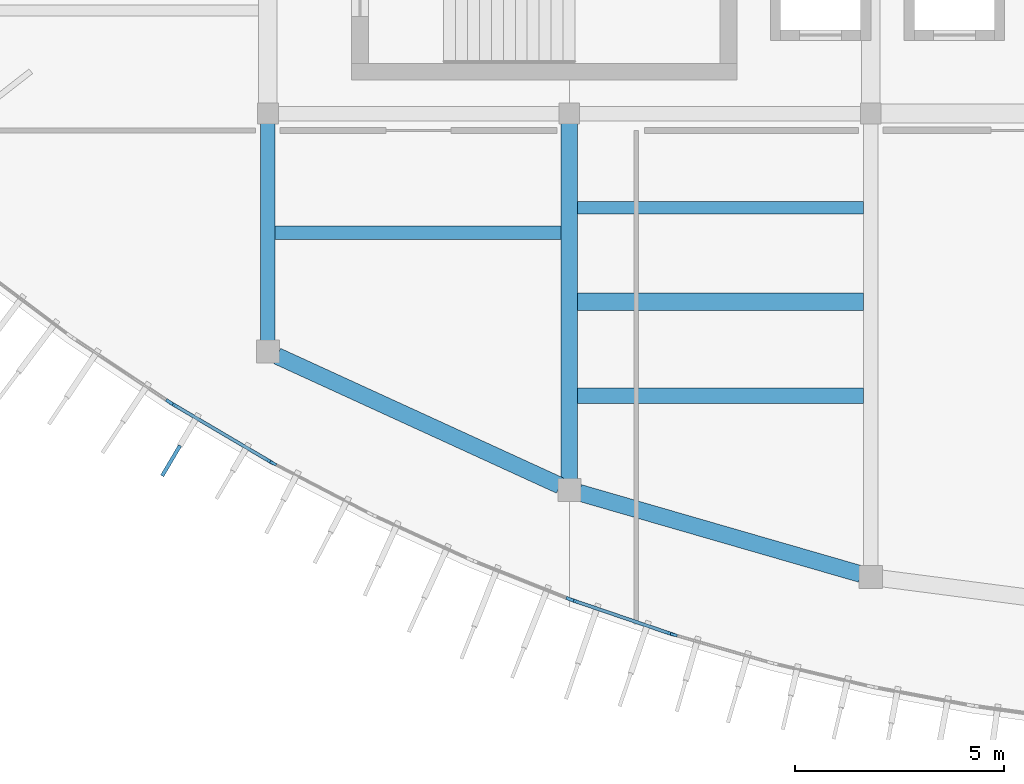
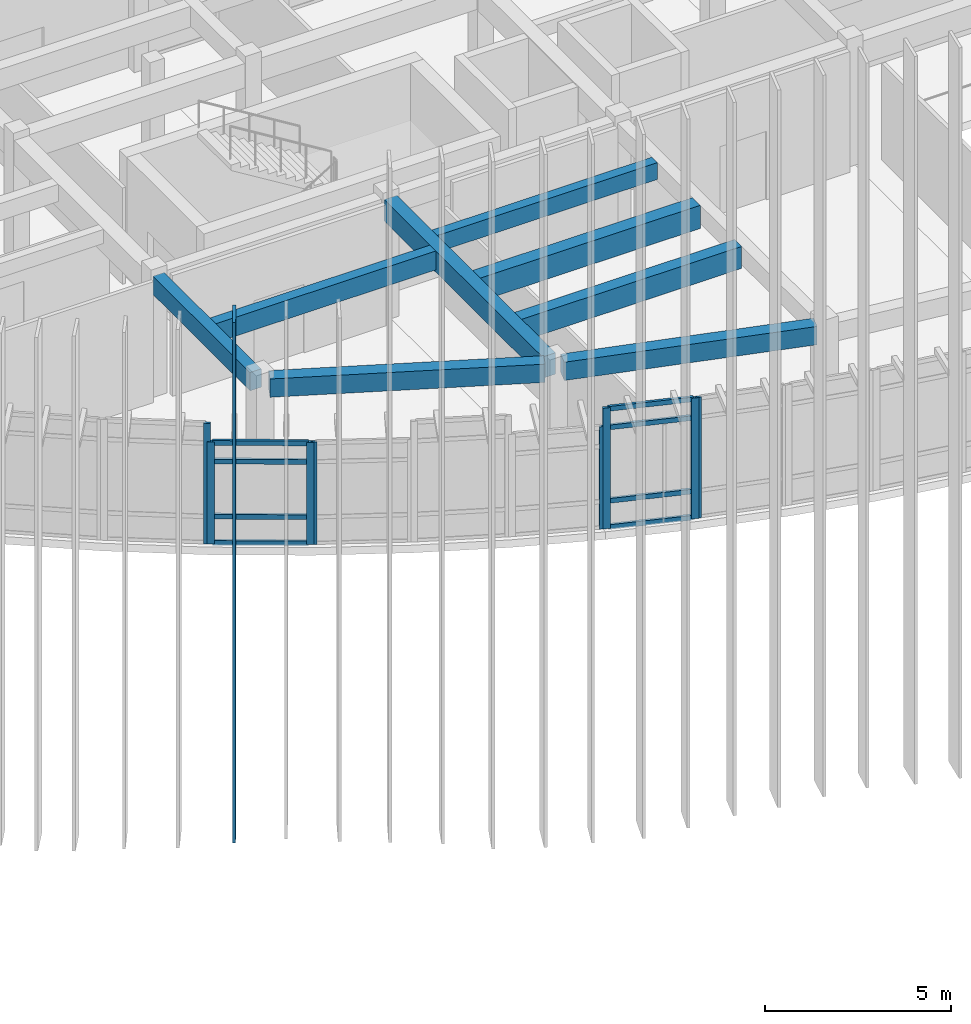
# One storey, part 14 of 47: 17 members, 8 beams, 6 elements without a shape of their own.
"""IFC4 building model written with IfcOpenShell, lengths in metres."""

from ifc_helpers import new_model, si_unit, direction, frame, origin, origin_2d, place, context, subcontext, project, spatial, rectangle, extrude, material, layer, layer_set, material_profile, profile_set, type_object, element, aggregate, save


model = new_model("IFC4")

# Units and contexts
model_context = context("Model", 3, precision=1e-05, world=origin(), true_north=direction((0.0, 1.0)))
body_context = subcontext(model_context, "Body", "Model", "MODEL_VIEW")
ifc_project = project(units=[si_unit("LENGTHUNIT", "METRE"), si_unit("AREAUNIT", "SQUARE_METRE"), si_unit("VOLUMEUNIT", "CUBIC_METRE"), si_unit("PLANEANGLEUNIT", "RADIAN"), si_unit("MASSUNIT", "GRAM", prefix="KILO")], contexts=[model_context])

# Site, building, storey
site_placement = place(None, origin())
site = spatial("IfcSite", under=ifc_project, at=site_placement, CompositionType="ELEMENT")
building_placement = place(site_placement, origin())
building = spatial("IfcBuilding", under=site, at=building_placement, Name="Brisavento Harbour Community Centre", CompositionType="ELEMENT")
storey_placement = place(building_placement, frame((0.0, 0.0, 8.699951171875)))
storey = spatial("IfcBuildingStorey", under=building, at=storey_placement, Name="L02", CompositionType="ELEMENT", Elevation=8.699951171875)

# Beams
ifc_material_1 = material(Name="Concrete C35/45", Category="concrete")
ifc_material_profile_1 = material_profile(ifc_material_1, rectangle(XDim=0.300048828125, YDim=0.550048828125, at=origin_2d()), Name="Concrete C35/45")
ifc_profile_set_1 = profile_set([ifc_material_profile_1], Name="Concrete C35/45")
beam_type_1 = type_object("IfcBeamType", Name="BM-JST-300x550", PredefinedType="JOIST", material=ifc_profile_set_1)
beam_1_placement = place(storey_placement, frame((122.60009765625, 12.75390625, 3.68505859375), z_axis=(1.0, 0.0, 0.0), x_axis=(0.0, 1.0, 0.0)))
element("IfcBeam", 1, at=beam_1_placement, inside=storey, type_object=beam_type_1, Name="L02 secondary floor joist 0297", PredefinedType="JOIST", context=body_context, shape_type="SweptSolid", body=[
    extrude(rectangle(XDim=0.300048828125, YDim=0.550048828125, at=origin_2d()), origin(), (0.0, 0.0, 1.0), 6.824951171875),
])
ifc_material_profile_2 = material_profile(ifc_material_1, rectangle(XDim=0.320068359375, YDim=0.6201171875, at=origin_2d()), Name="Concrete C35/45")
ifc_profile_set_2 = profile_set([ifc_material_profile_2], Name="Concrete C35/45")
beam_type_2 = type_object("IfcBeamType", Name="BM-JST-320x620", PredefinedType="JOIST", material=ifc_profile_set_2)
beam_2_placement = place(storey_placement, frame((115.375, 12.156982421875, 3.650146484375), z_axis=(1.0, 0.0, 0.0), x_axis=(0.0, 1.0, 0.0)))
element("IfcBeam", 2, at=beam_2_placement, inside=storey, type_object=beam_type_2, Name="L02 secondary floor joist 0293", PredefinedType="JOIST", context=body_context, shape_type="SweptSolid", body=[
    extrude(rectangle(XDim=0.320068359375, YDim=0.6201171875, at=origin_2d()), origin(), (0.0, 0.0, 1.0), 6.824951171875),
])
ifc_material_profile_3 = material_profile(ifc_material_1, rectangle(XDim=0.3798828125, YDim=0.719970703125, at=origin_2d()), Name="Concrete C35/45")
ifc_profile_set_3 = profile_set([ifc_material_profile_3], Name="Concrete C35/45")
beam_type_3 = type_object("IfcBeamType", Name="BM-JST-380x720", PredefinedType="JOIST", material=ifc_profile_set_3)
beam_3_placement = place(storey_placement, frame((122.60009765625, 8.26123046875, 3.60009765625), z_axis=(1.0, 0.0, 0.0), x_axis=(0.0, 1.0, 0.0)))
element("IfcBeam", 3, at=beam_3_placement, inside=storey, type_object=beam_type_3, Name="L02 secondary floor joist 0295", PredefinedType="JOIST", context=body_context, shape_type="SweptSolid", body=[
    extrude(rectangle(XDim=0.3798828125, YDim=0.719970703125, at=origin_2d()), origin(), (0.0, 0.0, 1.0), 6.824951171875),
])
ifc_material_profile_4 = material_profile(ifc_material_1, rectangle(XDim=0.419921875, YDim=0.760009765625, at=origin_2d()), Name="Concrete C35/45")
ifc_profile_set_4 = profile_set([ifc_material_profile_4], Name="Concrete C35/45")
beam_type_4 = type_object("IfcBeamType", Name="BM-JST-420x760", PredefinedType="JOIST", material=ifc_profile_set_4)
beam_4_placement = place(storey_placement, frame((122.60009765625, 10.507568359375, 3.580078125), z_axis=(1.0, 0.0, 0.0), x_axis=(0.0, 1.0, 0.0)))
element("IfcBeam", 4, at=beam_4_placement, inside=storey, type_object=beam_type_4, Name="L02 secondary floor joist 0296", PredefinedType="JOIST", context=body_context, shape_type="SweptSolid", body=[
    extrude(rectangle(XDim=0.419921875, YDim=0.760009765625, at=origin_2d()), origin(), (0.0, 0.0, 1.0), 6.824951171875),
])
ifc_material_profile_5 = material_profile(ifc_material_1, rectangle(XDim=0.35009765625, YDim=0.60009765625, at=origin_2d()), Name="Concrete C35/45")
ifc_profile_set_5 = profile_set([ifc_material_profile_5], Name="Concrete C35/45")
beam_type_5 = type_object("IfcBeamType", Name="BM-RC-350x600", PredefinedType="BEAM", material=ifc_profile_set_5)
beam_5_placement = place(storey_placement, frame((115.199951171875, 9.55908203125, 3.66015625), z_axis=(0.0, 1.0, 0.0), x_axis=(-1.0, 0.0, 0.0)))
element("IfcBeam", 5, at=beam_5_placement, inside=storey, type_object=beam_type_5, Name="L02 primary girder Y0604", PredefinedType="BEAM", context=body_context, shape_type="SweptSolid", body=[
    extrude(rectangle(XDim=0.35009765625, YDim=0.60009765625, at=origin_2d()), origin(), (0.0, 0.0, 1.0), 5.220947265625),
])
ifc_material_profile_6 = material_profile(ifc_material_1, rectangle(XDim=0.39990234375, YDim=0.699951171875, at=origin_2d()), Name="Concrete C35/45")
ifc_profile_set_6 = profile_set([ifc_material_profile_6], Name="Concrete C35/45")
beam_type_6 = type_object("IfcBeamType", Name="BM-RC-400x700", PredefinedType="BEAM", material=ifc_profile_set_6)
beam_6_placement = place(storey_placement, frame((122.39990234375, 6.260009765625, 3.610107421875), z_axis=(0.0, 1.0, 0.0), x_axis=(-1.0, 0.0, 0.0)))
element("IfcBeam", 6, at=beam_6_placement, inside=storey, type_object=beam_type_6, Name="L02 primary girder Y0607", PredefinedType="BEAM", context=body_context, shape_type="SweptSolid", body=[
    extrude(rectangle(XDim=0.39990234375, YDim=0.699951171875, at=origin_2d()), origin(), (0.0, 0.0, 1.0), 8.52001953125),
])
ifc_material_profile_7 = material_profile(ifc_material_1, rectangle(XDim=0.39990234375, YDim=0.60009765625, at=origin_2d()), Name="Concrete C35/45")
ifc_profile_set_7 = profile_set([ifc_material_profile_7], Name="Concrete C35/45")
beam_type_7 = type_object("IfcBeamType", Name="BM-SPN-400x600", PredefinedType="SPANDREL", material=ifc_profile_set_7)
beam_7_placement = place(storey_placement, frame((115.422607421875, 9.2119140625, 3.66015625), z_axis=(0.909123414107, -0.416526851383, 0.0), x_axis=(0.416526851383, 0.909123414107, 0.0)))
element("IfcBeam", 7, at=beam_7_placement, inside=storey, type_object=beam_type_7, Name="L02 curved perimeter spandrel 0639", PredefinedType="SPANDREL", context=body_context, shape_type="SweptSolid", body=[
    extrude(rectangle(XDim=0.39990234375, YDim=0.60009765625, at=origin_2d()), origin(), (0.0, 0.0, 1.0), 7.429931640625),
])
beam_8_placement = place(storey_placement, frame((122.635498046875, 5.947021484375, 3.66015625), z_axis=(0.960671007691, -0.277689061689, 0.0), x_axis=(0.277689061689, 0.960671007691, 0.0)))
element("IfcBeam", 8, at=beam_8_placement, inside=storey, type_object=beam_type_7, Name="L02 curved perimeter spandrel 0640", PredefinedType="SPANDREL", context=body_context, shape_type="SweptSolid", body=[
    extrude(rectangle(XDim=0.39990234375, YDim=0.60009765625, at=origin_2d()), origin(), (0.0, 0.0, 1.0), 7.00439453125),
])

# Curtain wall, member
ifc_material_2 = material(Name="Marine-anodised aluminium AW-6063-T6", Category="aluminium")
ifc_layer_1 = layer(ifc_material_2, 0.179931640625, Name="Marine-anodised aluminium AW-6063-T6")
ifc_layer_set_1 = layer_set([ifc_layer_1], Name="Marine-anodised aluminium AW-6063-T6")
curtain_wall_type_1 = type_object("IfcCurtainWallType", Name="CW-SYS-09", PredefinedType="USERDEFINED", material=ifc_layer_set_1)
curtain_wall_1_placement = place(storey_placement, origin())
curtain_wall_1 = element("IfcCurtainWall", 9, at=curtain_wall_1_placement, inside=storey, type_object=curtain_wall_type_1, Name="L02 V3 unitised curtain wall 121", ObjectType="UNITISED CURTAIN WALL", PredefinedType="USERDEFINED")
ifc_material_profile_8 = material_profile(ifc_material_2, rectangle(XDim=0.06494140625, YDim=0.1650390625, at=origin_2d()), Name="Marine-anodised aluminium AW-6063-T6")
ifc_profile_set_8 = profile_set([ifc_material_profile_8], Name="Marine-anodised aluminium AW-6063-T6")
member_type_1 = type_object("IfcMemberType", Name="CWM-01", PredefinedType="MULLION", material=ifc_profile_set_8)
member_1_placement = place(storey_placement, frame((115.327880859375, 6.650634765625, 0.0), z_axis=(0.0, 0.0, 1.0), x_axis=(-0.461718322689, -0.887026600781, 0.0)))
member_1 = element("IfcMember", 10, at=member_1_placement, type_object=member_type_1, Name="CW-09 mullion 2", PredefinedType="MULLION", context=body_context, shape_type="SweptSolid", body=[
    extrude(rectangle(XDim=0.06494140625, YDim=0.1650390625, at=origin_2d()), origin(), (0.0, 0.0, 1.0), 3.360107421875),
])
aggregate(curtain_wall_1, [member_1])

ifc_layer_2 = layer(ifc_material_2, 0.179931640625, Name="Marine-anodised aluminium AW-6063-T6")
ifc_layer_set_2 = layer_set([ifc_layer_2], Name="Marine-anodised aluminium AW-6063-T6")
curtain_wall_type_2 = type_object("IfcCurtainWallType", Name="CW-SYS-13", PredefinedType="USERDEFINED", material=ifc_layer_set_2)
curtain_wall_2_placement = place(storey_placement, origin())
curtain_wall_2 = element("IfcCurtainWall", 11, at=curtain_wall_2_placement, inside=storey, type_object=curtain_wall_type_2, Name="L02 V3 unitised curtain wall 125", ObjectType="UNITISED CURTAIN WALL", PredefinedType="USERDEFINED")
member_2_placement = place(storey_placement, frame((124.8984375, 2.55419921875, 0.0), z_axis=(0.0, 0.0, 1.0), x_axis=(-0.277000545402, -0.960869761126, 0.0)))
member_2 = element("IfcMember", 12, at=member_2_placement, type_object=member_type_1, Name="CW-13 mullion 2", PredefinedType="MULLION", context=body_context, shape_type="SweptSolid", body=[
    extrude(rectangle(XDim=0.06494140625, YDim=0.1650390625, at=origin_2d()), origin(), (0.0, 0.0, 1.0), 3.9599609375),
])
aggregate(curtain_wall_2, [member_2])

ifc_layer_3 = layer(ifc_material_2, 0.179931640625, Name="Marine-anodised aluminium AW-6063-T6")
ifc_layer_set_3 = layer_set([ifc_layer_3], Name="Marine-anodised aluminium AW-6063-T6")
curtain_wall_type_3 = type_object("IfcCurtainWallType", Name="CW-SYS-07", PredefinedType="USERDEFINED", material=ifc_layer_set_3)
curtain_wall_3_placement = place(storey_placement, origin())
curtain_wall_3 = element("IfcCurtainWall", 13, at=curtain_wall_3_placement, inside=storey, type_object=curtain_wall_type_3, Name="L02 V3 unitised curtain wall 119", ObjectType="UNITISED CURTAIN WALL", PredefinedType="USERDEFINED")
ifc_material_profile_9 = material_profile(ifc_material_2, rectangle(XDim=0.074951171875, YDim=0.18994140625, at=origin_2d()), Name="Marine-anodised aluminium AW-6063-T6")
ifc_profile_set_9 = profile_set([ifc_material_profile_9], Name="Marine-anodised aluminium AW-6063-T6")
member_type_2 = type_object("IfcMemberType", Name="CWM-03", PredefinedType="MULLION", material=ifc_profile_set_9)
member_3_placement = place(storey_placement, frame((112.853515625, 8.10986328125, 0.0), z_axis=(0.0, 0.0, 1.0), x_axis=(-0.554067779199, -0.832471558705, 0.0)))
member_3 = element("IfcMember", 14, at=member_3_placement, type_object=member_type_2, Name="CW-07 mullion 1", PredefinedType="MULLION", context=body_context, shape_type="SweptSolid", body=[
    extrude(rectangle(XDim=0.074951171875, YDim=0.18994140625, at=origin_2d()), origin(), (0.0, 0.0, 1.0), 3.9599609375),
])
aggregate(curtain_wall_3, [member_3])

ifc_layer_4 = layer(ifc_material_2, 0.179931640625, Name="Marine-anodised aluminium AW-6063-T6")
ifc_layer_set_4 = layer_set([ifc_layer_4], Name="Marine-anodised aluminium AW-6063-T6")
curtain_wall_type_4 = type_object("IfcCurtainWallType", Name="CW-SYS-11", PredefinedType="USERDEFINED", material=ifc_layer_set_4)
curtain_wall_4_placement = place(storey_placement, origin())
curtain_wall_4 = element("IfcCurtainWall", 15, at=curtain_wall_4_placement, inside=storey, type_object=curtain_wall_type_4, Name="L02 V3 unitised curtain wall 123", ObjectType="UNITISED CURTAIN WALL", PredefinedType="USERDEFINED")
member_4_placement = place(storey_placement, frame((122.4150390625, 3.40234375, 0.0), z_axis=(0.0, 0.0, 1.0), x_axis=(-0.369379094613, -0.929278798027, 0.0)))
member_4 = element("IfcMember", 16, at=member_4_placement, type_object=member_type_2, Name="CW-11 mullion 1", PredefinedType="MULLION", context=body_context, shape_type="SweptSolid", body=[
    extrude(rectangle(XDim=0.074951171875, YDim=0.18994140625, at=origin_2d()), origin(), (0.0, 0.0, 1.0), 3.360107421875),
])
aggregate(curtain_wall_4, [member_4])

# Curtain wall, members
ifc_layer_5 = layer(ifc_material_2, 0.179931640625, Name="Marine-anodised aluminium AW-6063-T6")
ifc_layer_set_5 = layer_set([ifc_layer_5], Name="Marine-anodised aluminium AW-6063-T6")
curtain_wall_type_5 = type_object("IfcCurtainWallType", Name="CW-SYS-08", PredefinedType="USERDEFINED", material=ifc_layer_set_5)
curtain_wall_5_placement = place(storey_placement, origin())
curtain_wall_5 = element("IfcCurtainWall", 17, at=curtain_wall_5_placement, inside=storey, type_object=curtain_wall_type_5, Name="L02 V3 unitised curtain wall 120", ObjectType="UNITISED CURTAIN WALL", PredefinedType="USERDEFINED")
ifc_material_profile_10 = material_profile(ifc_material_2, rectangle(XDim=0.080078125, YDim=0.2099609375, at=origin_2d()), Name="Marine-anodised aluminium AW-6063-T6")
ifc_profile_set_10 = profile_set([ifc_material_profile_10], Name="Marine-anodised aluminium AW-6063-T6")
member_type_3 = type_object("IfcMemberType", Name="CWM-04", PredefinedType="MULLION", material=ifc_profile_set_10)
member_5_placement = place(storey_placement, frame((115.241455078125, 6.69873046875, 0.0), z_axis=(0.0, 0.0, 1.0), x_axis=(-0.50787640703, -0.861429947925, 0.0)))
member_5 = element("IfcMember", 18, at=member_5_placement, type_object=member_type_3, Name="CW-08 mullion 1", PredefinedType="MULLION", context=body_context, shape_type="SweptSolid", body=[
    extrude(rectangle(XDim=0.080078125, YDim=0.2099609375, at=origin_2d()), origin(), (0.0, 0.0, 1.0), 3.360107421875),
])
member_6_placement = place(storey_placement, frame((112.94140625, 8.0546875, 0.0), z_axis=(0.0, 0.0, 1.0), x_axis=(-0.50787640703, -0.861429947925, 0.0)))
member_6 = element("IfcMember", 19, at=member_6_placement, type_object=member_type_3, Name="CW-08 mullion 2", PredefinedType="MULLION", context=body_context, shape_type="SweptSolid", body=[
    extrude(rectangle(XDim=0.080078125, YDim=0.2099609375, at=origin_2d()), origin(), (0.0, 0.0, 1.0), 3.360107421875),
])

ifc_layer_6 = layer(ifc_material_2, 0.179931640625, Name="Marine-anodised aluminium AW-6063-T6")
ifc_layer_set_6 = layer_set([ifc_layer_6], Name="Marine-anodised aluminium AW-6063-T6")
curtain_wall_type_6 = type_object("IfcCurtainWallType", Name="CW-SYS-12", PredefinedType="USERDEFINED", material=ifc_layer_set_6)
curtain_wall_6_placement = place(storey_placement, origin())
curtain_wall_6 = element("IfcCurtainWall", 20, at=curtain_wall_6_placement, inside=storey, type_object=curtain_wall_type_6, Name="L02 V3 unitised curtain wall 124", ObjectType="UNITISED CURTAIN WALL", PredefinedType="USERDEFINED")
member_7_placement = place(storey_placement, frame((124.803466796875, 2.584228515625, 0.0), z_axis=(0.0, 0.0, 1.0), x_axis=(-0.32317880016, -0.94633792227, 0.0)))
member_7 = element("IfcMember", 21, at=member_7_placement, type_object=member_type_3, Name="CW-12 mullion 1", PredefinedType="MULLION", context=body_context, shape_type="SweptSolid", body=[
    extrude(rectangle(XDim=0.080078125, YDim=0.2099609375, at=origin_2d()), origin(), (0.0, 0.0, 1.0), 3.9599609375),
])
member_8_placement = place(storey_placement, frame((122.512939453125, 3.366455078125, 0.0), z_axis=(0.0, 0.0, 1.0), x_axis=(-0.32317880016, -0.94633792227, 0.0)))
member_8 = element("IfcMember", 22, at=member_8_placement, type_object=member_type_3, Name="CW-12 mullion 2", PredefinedType="MULLION", context=body_context, shape_type="SweptSolid", body=[
    extrude(rectangle(XDim=0.080078125, YDim=0.2099609375, at=origin_2d()), origin(), (0.0, 0.0, 1.0), 3.9599609375),
])

# Member
ifc_material_profile_11 = material_profile(ifc_material_2, rectangle(XDim=0.080078125, YDim=0.155029296875, at=origin_2d()), Name="Marine-anodised aluminium AW-6063-T6")
ifc_profile_set_11 = profile_set([ifc_material_profile_11], Name="Marine-anodised aluminium AW-6063-T6")
member_type_4 = type_object("IfcMemberType", Name="CWT-04", PredefinedType="USERDEFINED", material=ifc_profile_set_11)
member_9_placement = place(storey_placement, frame((115.20703125, 6.718994140625, 0.0400390625), z_axis=(-0.861434635728, 0.507868455772, 0.0), x_axis=(-0.507868455772, -0.861434635728, 0.0)))
member_9 = element("IfcMember", 23, at=member_9_placement, type_object=member_type_4, Name="CW-08 transom 1.1", ObjectType="TRANSOM", PredefinedType="USERDEFINED", context=body_context, shape_type="SweptSolid", body=[
    extrude(rectangle(XDim=0.080078125, YDim=0.155029296875, at=origin_2d()), origin(), (0.0, 0.0, 1.0), 2.590087890625),
])

member_10_placement = place(storey_placement, frame((115.20703125, 6.718994140625, 0.900146484375), z_axis=(-0.861434635728, 0.507868455772, 0.0), x_axis=(-0.507868455772, -0.861434635728, 0.0)))
member_10 = element("IfcMember", 24, at=member_10_placement, type_object=member_type_4, Name="CW-08 transom 1.2", ObjectType="TRANSOM", PredefinedType="USERDEFINED", context=body_context, shape_type="SweptSolid", body=[
    extrude(rectangle(XDim=0.080078125, YDim=0.155029296875, at=origin_2d()), origin(), (0.0, 0.0, 1.0), 2.590087890625),
])

member_11_placement = place(storey_placement, frame((115.20703125, 6.718994140625, 2.7099609375), z_axis=(-0.861434635728, 0.507868455772, 0.0), x_axis=(-0.507868455772, -0.861434635728, 0.0)))
member_11 = element("IfcMember", 25, at=member_11_placement, type_object=member_type_4, Name="CW-08 transom 1.3", ObjectType="TRANSOM", PredefinedType="USERDEFINED", context=body_context, shape_type="SweptSolid", body=[
    extrude(rectangle(XDim=0.080078125, YDim=0.155029296875, at=origin_2d()), origin(), (0.0, 0.0, 1.0), 2.590087890625),
])

member_12_placement = place(storey_placement, frame((115.20703125, 6.718994140625, 3.320068359375), z_axis=(-0.861434635728, 0.507868455772, 0.0), x_axis=(-0.507868455772, -0.861434635728, 0.0)))
member_12 = element("IfcMember", 26, at=member_12_placement, type_object=member_type_4, Name="CW-08 transom 1.4", ObjectType="TRANSOM", PredefinedType="USERDEFINED", context=body_context, shape_type="SweptSolid", body=[
    extrude(rectangle(XDim=0.080078125, YDim=0.155029296875, at=origin_2d()), origin(), (0.0, 0.0, 1.0), 2.590087890625),
])

aggregate(curtain_wall_5, [member_5, member_6, member_9, member_10, member_11, member_12])

member_13_placement = place(storey_placement, frame((124.765380859375, 2.59716796875, 0.0400390625), z_axis=(-0.946320280274, 0.323230455159, 0.0), x_axis=(-0.323230455159, -0.946320280274, 0.0)))
member_13 = element("IfcMember", 27, at=member_13_placement, type_object=member_type_4, Name="CW-12 transom 1.1", ObjectType="TRANSOM", PredefinedType="USERDEFINED", context=body_context, shape_type="SweptSolid", body=[
    extrude(rectangle(XDim=0.080078125, YDim=0.155029296875, at=origin_2d()), origin(), (0.0, 0.0, 1.0), 2.33984375),
])

member_14_placement = place(storey_placement, frame((124.765380859375, 2.59716796875, 0.900146484375), z_axis=(-0.946320280274, 0.323230455159, 0.0), x_axis=(-0.323230455159, -0.946320280274, 0.0)))
member_14 = element("IfcMember", 28, at=member_14_placement, type_object=member_type_4, Name="CW-12 transom 1.2", ObjectType="TRANSOM", PredefinedType="USERDEFINED", context=body_context, shape_type="SweptSolid", body=[
    extrude(rectangle(XDim=0.080078125, YDim=0.155029296875, at=origin_2d()), origin(), (0.0, 0.0, 1.0), 2.33984375),
])

member_15_placement = place(storey_placement, frame((124.765380859375, 2.59716796875, 3.31005859375), z_axis=(-0.946320280274, 0.323230455159, 0.0), x_axis=(-0.323230455159, -0.946320280274, 0.0)))
member_15 = element("IfcMember", 29, at=member_15_placement, type_object=member_type_4, Name="CW-12 transom 1.3", ObjectType="TRANSOM", PredefinedType="USERDEFINED", context=body_context, shape_type="SweptSolid", body=[
    extrude(rectangle(XDim=0.080078125, YDim=0.155029296875, at=origin_2d()), origin(), (0.0, 0.0, 1.0), 2.33984375),
])

member_16_placement = place(storey_placement, frame((124.765380859375, 2.59716796875, 3.920166015625), z_axis=(-0.946320280274, 0.323230455159, 0.0), x_axis=(-0.323230455159, -0.946320280274, 0.0)))
member_16 = element("IfcMember", 30, at=member_16_placement, type_object=member_type_4, Name="CW-12 transom 1.4", ObjectType="TRANSOM", PredefinedType="USERDEFINED", context=body_context, shape_type="SweptSolid", body=[
    extrude(rectangle(XDim=0.080078125, YDim=0.155029296875, at=origin_2d()), origin(), (0.0, 0.0, 1.0), 2.33984375),
])

aggregate(curtain_wall_6, [member_7, member_8, member_13, member_14, member_15, member_16])

ifc_material_3 = material(Name="Off-white marine-anodised aluminium AW-6063-T6", Category="aluminium")
ifc_material_profile_12 = material_profile(ifc_material_3, rectangle(XDim=0.087890625, YDim=0.840087890625, at=origin_2d()), Name="Off-white marine-anodised aluminium AW-6063-T6")
ifc_profile_set_12 = profile_set([ifc_material_profile_12], Name="Off-white marine-anodised aluminium AW-6063-T6")
member_type_5 = type_object("IfcMemberType", Name="FIN-STORM-2", PredefinedType="USERDEFINED", material=ifc_profile_set_12)
member_17_placement = place(storey_placement, frame((112.890380859375, 6.7109375, -8.699951171875), z_axis=(0.0, 0.0, 1.0), x_axis=(-0.861434216188, 0.507869167385, 0.0)))
element("IfcMember", 31, at=member_17_placement, inside=storey, type_object=member_type_5, Name="Standing-clear white storm fin 098", ObjectType="FIN", PredefinedType="USERDEFINED", context=body_context, shape_type="SweptSolid", body=[
    extrude(rectangle(XDim=0.087890625, YDim=0.840087890625, at=origin_2d()), origin(), (0.0, 0.0, 1.0), 17.066650390625),
])

save(model, "model.ifc")
